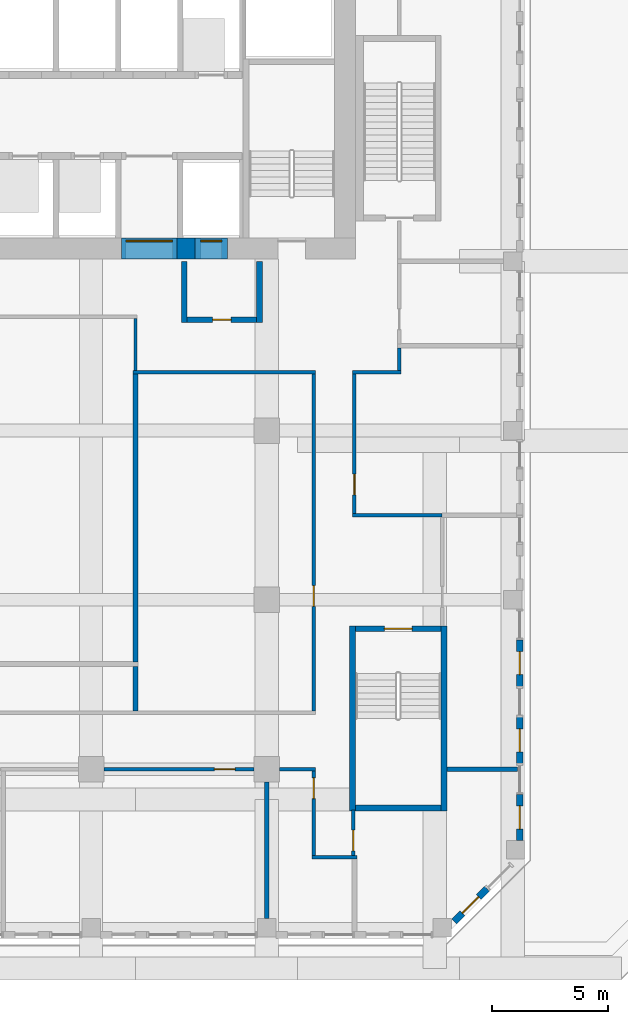
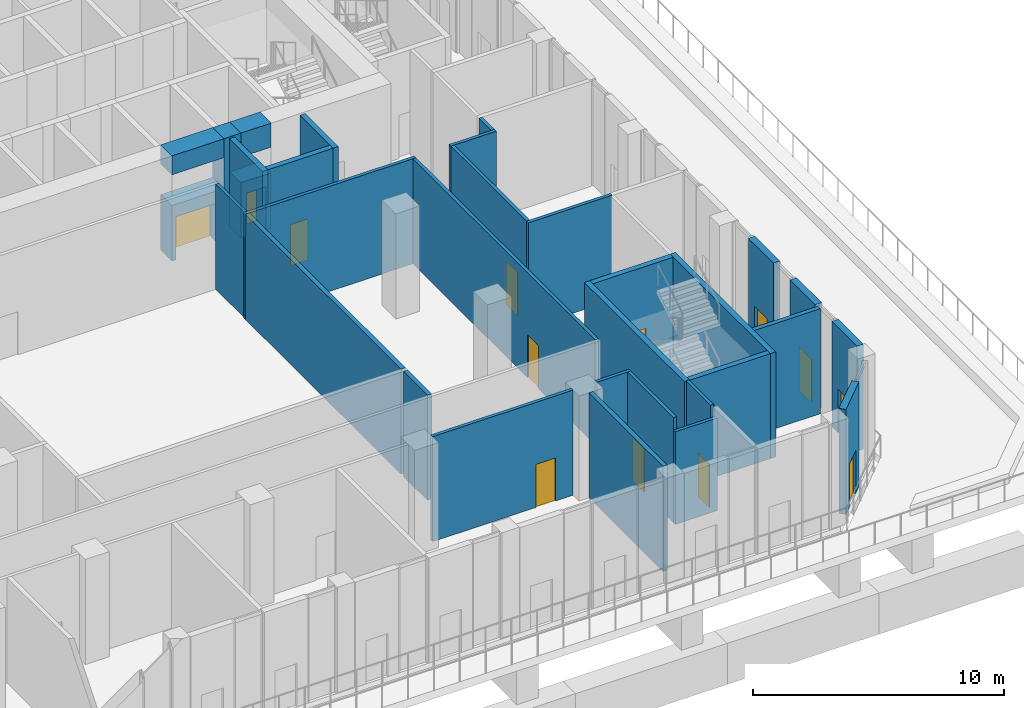
# One storey, part 11 of 19: 32 walls, 13 doors, 13 openings.
"""IFC4 building model written with IfcOpenShell, lengths in metres."""

from ifc_helpers import new_model, si_unit, direction, frame, frame_2d, origin, place, context, subcontext, project, spatial, rectangle, extrude, source, transform, mapped, material, layer, layer_set, type_object, element, fill, save


model = new_model("IFC4")

# Units and contexts
model_context = context("Model", 3, precision=1e-05, world=origin(), true_north=direction((0.0, 1.0)))
body_context = subcontext(model_context, "Body", "Model", "MODEL_VIEW")
ifc_project = project(units=[si_unit("LENGTHUNIT", "METRE"), si_unit("AREAUNIT", "SQUARE_METRE"), si_unit("VOLUMEUNIT", "CUBIC_METRE"), si_unit("PLANEANGLEUNIT", "RADIAN"), si_unit("MASSUNIT", "GRAM", prefix="KILO")], contexts=[model_context])

# Site, building, storey
site_placement = place(None, origin())
site = spatial("IfcSite", under=ifc_project, at=site_placement, CompositionType="ELEMENT")
building_placement = place(site_placement, origin())
building = spatial("IfcBuilding", under=site, at=building_placement, Name="Kilnfold Tower and Market Hall", CompositionType="ELEMENT")
storey_placement = place(building_placement, frame((0.0, 0.0, 138.5)))
storey = spatial("IfcBuildingStorey", under=building, at=storey_placement, Name="L31", CompositionType="ELEMENT", Elevation=138.5)

# Wall, opening, door
ifc_material_1 = material(Name="Gypsum board on steel studs", Category="steel")
ifc_layer_1 = layer(ifc_material_1, 0.14990234375)
ifc_layer_set_1 = layer_set([ifc_layer_1], Name="Gypsum board on steel studs")
wall_type_1 = type_object("IfcWallType", Name="WALL CORRIDOR 150", PredefinedType="PARTITIONING", material=ifc_layer_set_1)
wall_1_placement = place(storey_placement, frame((7.133056640625, -13.93798828125, 0.0), z_axis=(0.0, 0.0, 1.0), x_axis=(1.0, 0.0, 0.0)))
wall_1 = element("IfcWall", 1, at=wall_1_placement, inside=storey, type_object=wall_type_1, Name="Partition LY20.5", PredefinedType="PARTITIONING", context=body_context, shape_type="SweptSolid", body=[
    extrude(rectangle(XDim=6.48388671875, YDim=0.14990234375, at=frame_2d((3.241943359375, 0.0))), origin(), (0.0, 0.0, 1.0), 5.1201171875),
])
opening_1_placement = place(wall_1_placement, frame((4.77392578125, 0.0, 0.0)))
opening_1 = element("IfcOpeningElement", 2, at=opening_1_placement, cuts=wall_1, Name="Opening D2", PredefinedType="OPENING", context=body_context, shape_type="SweptSolid", body=[
    extrude(rectangle(XDim=0.89990234375, YDim=2.10009765625, at=frame_2d((0.449951171875, 1.050048828125))), frame((0.0, 0.0849609375, 0.0), z_axis=(0.0, -1.0, 0.0), x_axis=(1.0, 0.0, 0.0)), (0.0, 0.0, 1.0), 0.169921875),
])
ifc_material_2 = material(Name="Timber veneer door leaf in steel frame", Category="steel")
door_type_1 = type_object("IfcDoorType", Name="DOOR ROOM 900 X2100", OperationType="NOTDEFINED", PredefinedType="DOOR", material=ifc_material_2)
door_1_placement = place(opening_1_placement, origin())
door_1 = element("IfcDoor", 3, at=door_1_placement, inside=storey, type_object=door_type_1, Name="Door D2", OperationType="SINGLE_SWING_RIGHT", OverallHeight=2.10009765625, OverallWidth=0.89990234375, PredefinedType="DOOR", context=body_context, shape_type="SweptSolid", body=[
    extrude(rectangle(XDim=0.89990234375, YDim=2.10009765625, at=frame_2d((0.449951171875, 1.050048828125))), frame((0.0, 0.02490234375, 0.0), z_axis=(0.0, -1.0, 0.0), x_axis=(1.0, 0.0, 0.0)), (0.0, 0.0, 1.0), 0.050048828125),
])
fill(opening_1, door_1)

# Wall
wall_2_placement = place(storey_placement, frame((16.125, -17.75, 0.0), z_axis=(0.0, 0.0, 1.0), x_axis=(1.0, 0.0, 0.0)))
element("IfcWall", 4, at=wall_2_placement, inside=storey, type_object=wall_type_1, Name="Partition LY20.6", PredefinedType="PARTITIONING", context=body_context, shape_type="SweptSolid", body=[
    extrude(rectangle(XDim=1.93408203125, YDim=0.14990234375, at=frame_2d((0.967041015625, 0.0))), origin(), (0.0, 0.0, 1.0), 4.52001953125),
])

# Wall, opening, door
wall_3_placement = place(storey_placement, frame((16.199951171875, -17.675048828125, 0.0), z_axis=(0.0, 0.0, 1.0), x_axis=(0.0, 1.0, 0.0)))
wall_3 = element("IfcWall", 5, at=wall_3_placement, inside=storey, type_object=wall_type_1, Name="Partition LY20.7", PredefinedType="PARTITIONING", context=body_context, shape_type="SweptSolid", body=[
    extrude(rectangle(XDim=3.662109375, YDim=0.14990234375, at=frame_2d((1.8310546875, 0.0))), origin(), (0.0, 0.0, 1.0), 5.1201171875),
])
opening_2_placement = place(wall_3_placement, frame((2.458984375, 0.0, 0.0)))
opening_2 = element("IfcOpeningElement", 6, at=opening_2_placement, cuts=wall_3, Name="Opening D2", PredefinedType="OPENING", context=body_context, shape_type="SweptSolid", body=[
    extrude(rectangle(XDim=0.89990234375, YDim=2.10009765625, at=frame_2d((0.449951171875, 1.050048828125))), frame((0.0, 0.0849609375, 0.0), z_axis=(0.0, -1.0, 0.0), x_axis=(1.0, 0.0, 0.0)), (0.0, 0.0, 1.0), 0.169921875),
])
door_2_placement = place(opening_2_placement, origin())
door_2 = element("IfcDoor", 7, at=door_2_placement, inside=storey, type_object=door_type_1, Name="Door D2", OperationType="SINGLE_SWING_RIGHT", OverallHeight=2.10009765625, OverallWidth=0.89990234375, PredefinedType="DOOR", context=body_context, shape_type="SweptSolid", body=[
    extrude(rectangle(XDim=0.89990234375, YDim=2.10009765625, at=frame_2d((0.449951171875, 1.050048828125))), frame((0.0, 0.02490234375, 0.0), z_axis=(0.0, -1.0, 0.0), x_axis=(1.0, 0.0, 0.0)), (0.0, 0.0, 1.0), 0.050048828125),
])
fill(opening_2, door_2)

# Wall
wall_4_placement = place(storey_placement, frame((14.717041015625, -13.93798828125, 0.0), z_axis=(0.0, 0.0, 1.0), x_axis=(1.0, 0.0, 0.0)))
element("IfcWall", 8, at=wall_4_placement, inside=storey, type_object=wall_type_1, Name="Partition LY20.8", PredefinedType="PARTITIONING", context=body_context, shape_type="SweptSolid", body=[
    extrude(rectangle(XDim=1.557861328125, YDim=0.14990234375, at=frame_2d((0.77880859375, 0.0))), origin(), (0.0, 0.0, 1.0), 5.1201171875),
])

# Wall, opening, door
wall_5_placement = place(storey_placement, frame((17.908935546875, -17.675048828125, 0.0), z_axis=(0.0, 0.0, 1.0), x_axis=(0.0, 1.0, 0.0)))
wall_5 = element("IfcWall", 9, at=wall_5_placement, inside=storey, type_object=wall_type_1, Name="Partition LY20.9", PredefinedType="PARTITIONING", context=body_context, shape_type="SweptSolid", body=[
    extrude(rectangle(XDim=1.97509765625, YDim=0.14990234375, at=frame_2d((0.987548828125, 0.0))), origin(), (0.0, 0.0, 1.0), 5.1201171875),
])
opening_3_placement = place(wall_5_placement, frame((0.199951171875, 0.0, 0.0)))
opening_3 = element("IfcOpeningElement", 10, at=opening_3_placement, cuts=wall_5, Name="Opening D2", PredefinedType="OPENING", context=body_context, shape_type="SweptSolid", body=[
    extrude(rectangle(XDim=0.89990234375, YDim=2.10009765625, at=frame_2d((0.449951171875, 1.050048828125))), frame((0.0, 0.0849609375, 0.0), z_axis=(0.0, -1.0, 0.0), x_axis=(1.0, 0.0, 0.0)), (0.0, 0.0, 1.0), 0.169921875),
])
door_3_placement = place(opening_3_placement, origin())
door_3 = element("IfcDoor", 11, at=door_3_placement, inside=storey, type_object=door_type_1, Name="Door D2", OperationType="SINGLE_SWING_LEFT", OverallHeight=2.10009765625, OverallWidth=0.89990234375, PredefinedType="DOOR", context=body_context, shape_type="SweptSolid", body=[
    extrude(rectangle(XDim=0.89990234375, YDim=2.10009765625, at=frame_2d((0.449951171875, 1.050048828125))), frame((0.0, 0.02490234375, 0.0), z_axis=(0.0, -1.0, 0.0), x_axis=(1.0, 0.0, 0.0)), (0.0, 0.0, 1.0), 0.050048828125),
])
fill(opening_3, door_3)

# Walls
wall_6_placement = place(storey_placement, frame((19.89990234375, 3.27490234375, 0.0), z_axis=(0.0, 0.0, 1.0), x_axis=(0.0, 1.0, 0.0)))
element("IfcWall", 12, at=wall_6_placement, inside=storey, type_object=wall_type_1, Name="Partition LY20.26", PredefinedType="PARTITIONING", context=body_context, shape_type="SweptSolid", body=[
    extrude(rectangle(XDim=0.97900390625, YDim=0.14990234375, at=frame_2d((0.489501953125, 0.0))), origin(), (0.0, 0.0, 1.0), 5.1201171875),
])
wall_7_placement = place(storey_placement, frame((17.884033203125, 3.199951171875, 0.0), z_axis=(0.0, 0.0, 1.0), x_axis=(1.0, 0.0, 0.0)))
element("IfcWall", 13, at=wall_7_placement, inside=storey, type_object=wall_type_1, Name="Partition LY20.27", PredefinedType="PARTITIONING", context=body_context, shape_type="SweptSolid", body=[
    extrude(rectangle(XDim=2.091064453125, YDim=0.14990234375, at=frame_2d((1.04541015625, 0.0))), origin(), (0.0, 0.0, 1.0), 5.1201171875),
])

# Wall, opening, door
wall_8_placement = place(storey_placement, frame((17.958984375, -2.89404296875, 0.0), z_axis=(0.0, 0.0, 1.0), x_axis=(0.0, 1.0, 0.0)))
wall_8 = element("IfcWall", 14, at=wall_8_placement, inside=storey, type_object=wall_type_1, Name="Partition LY20.28", PredefinedType="PARTITIONING", context=body_context, shape_type="SweptSolid", body=[
    extrude(rectangle(XDim=6.01904296875, YDim=0.14990234375, at=frame_2d((3.009521484375, 0.0))), origin(), (0.0, 0.0, 1.0), 5.1201171875),
])
opening_4_placement = place(wall_8_placement, frame((0.802001953125, 0.0, 0.0)))
opening_4 = element("IfcOpeningElement", 15, at=opening_4_placement, cuts=wall_8, Name="Opening D2", PredefinedType="OPENING", context=body_context, shape_type="SweptSolid", body=[
    extrude(rectangle(XDim=0.89990234375, YDim=2.10009765625, at=frame_2d((0.449951171875, 1.050048828125))), frame((0.0, 0.0849609375, 0.0), z_axis=(0.0, -1.0, 0.0), x_axis=(1.0, 0.0, 0.0)), (0.0, 0.0, 1.0), 0.169921875),
])
door_4_placement = place(opening_4_placement, origin())
door_4 = element("IfcDoor", 16, at=door_4_placement, inside=storey, type_object=door_type_1, Name="Door D2", OperationType="SINGLE_SWING_LEFT", OverallHeight=2.10009765625, OverallWidth=0.89990234375, PredefinedType="DOOR", context=body_context, shape_type="SweptSolid", body=[
    extrude(rectangle(XDim=0.89990234375, YDim=2.10009765625, at=frame_2d((0.449951171875, 1.050048828125))), frame((0.0, 0.02490234375, 0.0), z_axis=(0.0, -1.0, 0.0), x_axis=(1.0, 0.0, 0.0)), (0.0, 0.0, 1.0), 0.050048828125),
])
fill(opening_4, door_4)

# Wall
wall_9_placement = place(storey_placement, frame((21.7509765625, -2.968994140625, 0.0), z_axis=(0.0, 0.0, 1.0), x_axis=(-1.0, 0.0, 0.0)))
element("IfcWall", 17, at=wall_9_placement, inside=storey, type_object=wall_type_1, Name="Partition LY20.29", PredefinedType="PARTITIONING", context=body_context, shape_type="SweptSolid", body=[
    extrude(rectangle(XDim=3.866943359375, YDim=0.14990234375, at=frame_2d((1.93359375, 0.0))), origin(), (0.0, 0.0, 1.0), 5.1201171875),
])

# Wall, opening, door
wall_10_placement = place(storey_placement, frame((16.199951171875, -11.425048828125, 0.0), z_axis=(0.0, 0.0, 1.0), x_axis=(0.0, 1.0, 0.0)))
wall_10 = element("IfcWall", 18, at=wall_10_placement, inside=storey, type_object=wall_type_1, Name="Partition LY20.40", PredefinedType="PARTITIONING", context=body_context, shape_type="SweptSolid", body=[
    extrude(rectangle(XDim=14.550048828125, YDim=0.14990234375, at=frame_2d((7.27490234375, 0.0))), origin(), (0.0, 0.0, 1.0), 5.1201171875),
])
opening_5_placement = place(wall_10_placement, frame((4.51611328125, 0.0, 0.0)))
opening_5 = element("IfcOpeningElement", 19, at=opening_5_placement, cuts=wall_10, Name="Opening D2", PredefinedType="OPENING", context=body_context, shape_type="SweptSolid", body=[
    extrude(rectangle(XDim=0.89990234375, YDim=2.10009765625, at=frame_2d((0.449951171875, 1.050048828125))), frame((0.0, 0.0849609375, 0.0), z_axis=(0.0, -1.0, 0.0), x_axis=(1.0, 0.0, 0.0)), (0.0, 0.0, 1.0), 0.169921875),
])
door_5_placement = place(opening_5_placement, origin())
door_5 = element("IfcDoor", 20, at=door_5_placement, inside=storey, type_object=door_type_1, Name="Door D2", OperationType="SINGLE_SWING_RIGHT", OverallHeight=2.10009765625, OverallWidth=0.89990234375, PredefinedType="DOOR", context=body_context, shape_type="SweptSolid", body=[
    extrude(rectangle(XDim=0.89990234375, YDim=2.10009765625, at=frame_2d((0.449951171875, 1.050048828125))), frame((0.0, 0.02490234375, 0.0), z_axis=(0.0, -1.0, 0.0), x_axis=(1.0, 0.0, 0.0)), (0.0, 0.0, 1.0), 0.050048828125),
])
fill(opening_5, door_5)

# Walls
wall_11_placement = place(storey_placement, frame((8.39990234375, 3.199951171875, 0.0), z_axis=(0.0, 0.0, 1.0), x_axis=(1.0, 0.0, 0.0)))
element("IfcWall", 21, at=wall_11_placement, inside=storey, type_object=wall_type_1, Name="Partition LY20.41", PredefinedType="PARTITIONING", context=body_context, shape_type="SweptSolid", body=[
    extrude(rectangle(XDim=7.875, YDim=0.14990234375, at=frame_2d((3.9375, 0.0))), origin(), (0.0, 0.0, 1.0), 5.1201171875),
])
wall_12_placement = place(storey_placement, frame((8.5, 5.52490234375, 0.0), z_axis=(0.0, 0.0, 1.0), x_axis=(0.0, -1.0, 0.0)))
element("IfcWall", 22, at=wall_12_placement, inside=storey, type_object=wall_type_1, Name="Partition LY20.43", PredefinedType="PARTITIONING", context=body_context, shape_type="SweptSolid", body=[
    extrude(rectangle(XDim=2.25, YDim=0.14990234375, at=frame_2d((1.125, 0.0))), origin(), (0.0, 0.0, 1.0), 5.1201171875),
])
ifc_material_3 = material(Name="Gypsum board on steel studs", Category="steel")
ifc_layer_2 = layer(ifc_material_3, 0.199951171875)
ifc_layer_set_2 = layer_set([ifc_layer_2], Name="Gypsum board on steel studs")
wall_type_2 = type_object("IfcWallType", Name="WALL PARTY 200", PredefinedType="PARTITIONING", material=ifc_layer_set_2)
wall_13_placement = place(storey_placement, frame((14.1669921875, -20.39990234375, 0.0), z_axis=(0.0, 0.0, 1.0), x_axis=(0.0, 1.0, 0.0)))
element("IfcWall", 23, at=wall_13_placement, inside=storey, type_object=wall_type_2, Name="Partition LY20.49", PredefinedType="PARTITIONING", context=body_context, shape_type="SweptSolid", body=[
    extrude(rectangle(XDim=5.911865234375, YDim=0.199951171875, at=frame_2d((2.9560546875, 0.0))), origin(), (0.0, 0.0, 1.0), 5.1201171875),
])
wall_14_placement = place(storey_placement, frame((25.0, -13.93798828125, 0.0), z_axis=(0.0, 0.0, 1.0), x_axis=(-1.0, 0.0, 0.0)))
element("IfcWall", 24, at=wall_14_placement, inside=storey, type_object=wall_type_2, Name="Partition LY20.51", PredefinedType="PARTITIONING", context=body_context, shape_type="SweptSolid", body=[
    extrude(rectangle(XDim=3.050048828125, YDim=0.199951171875, at=frame_2d((1.52490234375, 0.0))), origin(), (0.0, 0.0, 1.0), 5.1201171875),
])
wall_15_placement = place(storey_placement, frame((8.5, -11.423095703125, 0.0), z_axis=(0.0, 0.0, 1.0), x_axis=(0.0, 1.0, 0.0)))
element("IfcWall", 25, at=wall_15_placement, inside=storey, type_object=wall_type_2, Name="Partition LY20.78", PredefinedType="PARTITIONING", context=body_context, shape_type="SweptSolid", body=[
    extrude(rectangle(XDim=1.923095703125, YDim=0.199951171875, at=frame_2d((0.96142578125, 0.0))), origin(), (0.0, 0.0, 1.0), 5.1201171875),
])
wall_16_placement = place(storey_placement, frame((8.5, -9.31005859375, 0.0), z_axis=(0.0, 0.0, 1.0), x_axis=(0.0, 1.0, 0.0)))
element("IfcWall", 26, at=wall_16_placement, inside=storey, type_object=wall_type_2, Name="Partition LY20.80", PredefinedType="PARTITIONING", context=body_context, shape_type="SweptSolid", body=[
    extrude(rectangle(XDim=12.43310546875, YDim=0.199951171875, at=frame_2d((6.216552734375, 0.0))), origin(), (0.0, 0.0, 1.0), 5.1201171875),
])
ifc_material_4 = material(Name="Concrete C70", Category="concrete")
ifc_layer_3 = layer(ifc_material_4, 0.89990234375)
ifc_layer_set_3 = layer_set([ifc_layer_3], Name="Concrete C70")
wall_type_3 = type_object("IfcWallType", Name="CORE WALL 900 C70", PredefinedType="SHEAR", material=ifc_layer_set_3)
shared_shape_1 = source(origin(), body_context, "Body", "SweptSolid", [
    extrude(rectangle(XDim=0.780029296875, YDim=0.89990234375, at=frame_2d((0.39013671875, 0.0))), origin(), (0.0, 0.0, 1.0), 5.1201171875),
])
wall_17_placement = place(storey_placement, frame((10.2900390625, 8.550048828125, 0.0), z_axis=(0.0, 0.0, 1.0), x_axis=(1.0, 0.0, 0.0)))
element("IfcWall", 27, at=wall_17_placement, inside=storey, type_object=wall_type_3, Name="Core outer wall south", PredefinedType="SHEAR", context=body_context, shape_type="MappedRepresentation", body=[
    mapped(shared_shape_1, transform((0.0, 0.0, 0.0))),
])
ifc_material_5 = material(Name="Concrete C70", Category="concrete")
ifc_layer_4 = layer(ifc_material_5, 0.25)
ifc_layer_set_4 = layer_set([ifc_layer_4], Name="Concrete C70")
wall_type_4 = type_object("IfcWallType", Name="CORE WALL 250 C70", PredefinedType="SHEAR", material=ifc_layer_set_4)
shared_shape_2 = source(origin(), body_context, "Body", "SweptSolid", [
    extrude(rectangle(XDim=3.699951171875, YDim=0.25, at=frame_2d((1.85009765625, 0.0))), origin(), (0.0, 0.0, 1.0), 5.1201171875),
])
wall_18_placement = place(storey_placement, frame((18.0, -15.625, 0.0), z_axis=(0.0, 0.0, 1.0), x_axis=(1.0, 0.0, 0.0)))
element("IfcWall", 28, at=wall_18_placement, inside=storey, type_object=wall_type_4, Name="Stair enclosure ST4", PredefinedType="SHEAR", context=body_context, shape_type="MappedRepresentation", body=[
    mapped(shared_shape_2, transform((0.0, 0.0, 0.0))),
])

# Wall, opening, door
wall_19_placement = place(storey_placement, frame((18.0, -7.875, 0.0), z_axis=(0.0, 0.0, 1.0), x_axis=(1.0, 0.0, 0.0)))
wall_19 = element("IfcWall", 29, at=wall_19_placement, inside=storey, type_object=wall_type_4, Name="Stair enclosure ST4", PredefinedType="SHEAR", context=body_context, shape_type="MappedRepresentation", body=[
    mapped(shared_shape_2, transform((0.0, 0.0, 0.0))),
])
opening_6_placement = place(wall_19_placement, frame((1.25, 0.0, 0.0)))
opening_6 = element("IfcOpeningElement", 30, at=opening_6_placement, cuts=wall_19, Name="Opening SD1", PredefinedType="OPENING", context=body_context, shape_type="SweptSolid", body=[
    extrude(rectangle(XDim=1.199951171875, YDim=2.10009765625, at=frame_2d((0.60009765625, 1.050048828125))), frame((0.0, 0.135009765625, 0.0), z_axis=(0.0, -1.0, 0.0), x_axis=(1.0, 0.0, 0.0)), (0.0, 0.0, 1.0), 0.27001953125),
])
ifc_material_6 = material(Name="Steel door set with fire-resisting leaf", Category="steel")
door_type_2 = type_object("IfcDoorType", Name="STAIR FLOOR DOOR 1200X2100", OperationType="NOTDEFINED", PredefinedType="DOOR", material=ifc_material_6)
door_6_placement = place(opening_6_placement, origin())
door_6 = element("IfcDoor", 31, at=door_6_placement, inside=storey, type_object=door_type_2, Name="Exit stair ST4 door", OperationType="DOUBLE_DOOR_SINGLE_SWING", OverallHeight=2.10009765625, OverallWidth=1.199951171875, PredefinedType="DOOR", context=body_context, shape_type="SweptSolid", body=[
    extrude(rectangle(XDim=1.199951171875, YDim=2.10009765625, at=frame_2d((0.60009765625, 1.050048828125))), frame((0.0, 0.02490234375, 0.0), z_axis=(0.0, -1.0, 0.0), x_axis=(1.0, 0.0, 0.0)), (0.0, 0.0, 1.0), 0.050048828125),
])
fill(opening_6, door_6)

# Walls
shared_shape_3 = source(origin(), body_context, "Body", "SweptSolid", [
    extrude(rectangle(XDim=8.0, YDim=0.25, at=frame_2d((4.0, 0.0))), origin(), (0.0, 0.0, 1.0), 5.1201171875),
])
for number, where, z_axis, x_axis, name in (
    (32, (17.875, -15.75, 0.0), (0.0, 0.0, 1.0), (0.0, 1.0, 0.0), "Stair enclosure ST4"),
    (33, (21.824951171875, -15.75, 0.0), (0.0, 0.0, 1.0), (0.0, 1.0, 0.0), "Stair enclosure ST4"),
):
    element("IfcWall", number, at=place(storey_placement, frame(where, z_axis=z_axis, x_axis=x_axis)), inside=storey, type_object=wall_type_4, Name=name, PredefinedType="SHEAR", context=body_context, shape_type="MappedRepresentation", body=[
        mapped(shared_shape_3, transform((0.0, 0.0, 0.0))),
    ])
shared_shape_4 = source(origin(), body_context, "Body", "SweptSolid", [
    extrude(rectangle(XDim=1.39990234375, YDim=0.89990234375, at=frame_2d((0.699951171875, 0.0))), origin(), (0.0, 0.0, 1.0), 1.170166015625),
])
wall_20_placement = place(storey_placement, frame((11.070068359375, 8.550048828125, 3.949951171875), z_axis=(0.0, 0.0, 1.0), x_axis=(1.0, 0.0, 0.0)))
element("IfcWall", 34, at=wall_20_placement, inside=storey, type_object=wall_type_3, Name="Core wall over opening", PredefinedType="SHEAR", context=body_context, shape_type="MappedRepresentation", body=[
    mapped(shared_shape_4, transform((0.0, 0.0, 0.0))),
])
shared_shape_5 = source(origin(), body_context, "Body", "SweptSolid", [
    extrude(rectangle(XDim=2.400146484375, YDim=0.89990234375, at=frame_2d((1.2001953125, 0.0))), origin(), (0.0, 0.0, 1.0), 0.920166015625),
])
wall_21_placement = place(storey_placement, frame((7.889892578125, 8.550048828125, 4.199951171875), z_axis=(0.0, 0.0, 1.0), x_axis=(1.0, 0.0, 0.0)))
element("IfcWall", 35, at=wall_21_placement, inside=storey, type_object=wall_type_3, Name="Core wall over opening", PredefinedType="SHEAR", context=body_context, shape_type="MappedRepresentation", body=[
    mapped(shared_shape_5, transform((0.0, 0.0, 0.0))),
])

# Wall, opening, door
ifc_material_7 = material(Name="Precast concrete C50/60", Category="concrete")
ifc_layer_5 = layer(ifc_material_7, 0.300048828125)
ifc_layer_set_5 = layer_set([ifc_layer_5], Name="Precast concrete C50/60")
wall_type_5 = type_object("IfcWallType", Name="PRECAST WALL 300", PredefinedType="SOLIDWALL", material=ifc_layer_set_5)
shared_shape_6 = source(origin(), body_context, "Body", "SweptSolid", [
    extrude(rectangle(XDim=2.0, YDim=0.300048828125, at=frame_2d((1.0, 0.0))), origin(), (0.0, 0.0, 1.0), 5.1201171875),
])
wall_22_placement = place(storey_placement, frame((22.268798828125, -20.518798828125, 0.0), z_axis=(0.0, 0.0, 1.0), x_axis=(0.70716781496, 0.707045742145, 0.0)))
wall_22 = element("IfcWall", 36, at=wall_22_placement, inside=storey, type_object=wall_type_5, Name="External wall L31 SE", PredefinedType="SOLIDWALL", context=body_context, shape_type="MappedRepresentation", body=[
    mapped(shared_shape_6, transform((0.0, 0.0, 0.0))),
])
opening_7_placement = place(wall_22_placement, frame((0.5, 0.0, 0.0)))
opening_7 = element("IfcOpeningElement", 37, at=opening_7_placement, cuts=wall_22, Name="Opening BD1", PredefinedType="OPENING", context=body_context, shape_type="SweptSolid", body=[
    extrude(rectangle(XDim=1.0, YDim=2.10009765625, at=frame_2d((0.5, 1.050048828125))), frame((0.0, 0.16015625, 0.0), z_axis=(0.0, -1.0, 0.0), x_axis=(1.0, 0.0, 0.0)), (0.0, 0.0, 1.0), 0.320068359375),
])
ifc_material_8 = material(Name="Aluminium frame and double glazing", Category="aluminium")
door_type_3 = type_object("IfcDoorType", Name="BALCONY DOOR 1000X2100", OperationType="NOTDEFINED", PredefinedType="DOOR", material=ifc_material_8)
door_7_placement = place(opening_7_placement, origin())
door_7 = element("IfcDoor", 38, at=door_7_placement, inside=storey, type_object=door_type_3, Name="Balcony door BD1 L31 SE-1", OperationType="SINGLE_SWING_LEFT", OverallHeight=2.10009765625, OverallWidth=1.0, PredefinedType="DOOR", context=body_context, shape_type="SweptSolid", body=[
    extrude(rectangle(XDim=1.0, YDim=2.10009765625, at=frame_2d((0.5, 1.050048828125))), frame((0.0, 0.02490234375, 0.0), z_axis=(0.0, -1.0, 0.0), x_axis=(1.0, 0.0, 0.0)), (0.0, 0.0, 1.0), 0.050048828125),
])
fill(opening_7, door_7)

wall_23_placement = place(storey_placement, frame((25.10009765625, -17.03173828125, 0.0), z_axis=(0.0, 0.0, 1.0), x_axis=(0.0, 1.0, 0.0)))
wall_23 = element("IfcWall", 39, at=wall_23_placement, inside=storey, type_object=wall_type_5, Name="External wall L31 E", PredefinedType="SOLIDWALL", context=body_context, shape_type="MappedRepresentation", body=[
    mapped(shared_shape_6, transform((0.0, 0.0, 0.0))),
])
opening_8_placement = place(wall_23_placement, frame((0.5, 0.0, 0.0)))
opening_8 = element("IfcOpeningElement", 40, at=opening_8_placement, cuts=wall_23, Name="Opening BD1", PredefinedType="OPENING", context=body_context, shape_type="SweptSolid", body=[
    extrude(rectangle(XDim=1.0, YDim=2.10009765625, at=frame_2d((0.5, 1.050048828125))), frame((0.0, 0.16015625, 0.0), z_axis=(0.0, -1.0, 0.0), x_axis=(1.0, 0.0, 0.0)), (0.0, 0.0, 1.0), 0.320068359375),
])
door_8_placement = place(opening_8_placement, origin())
door_8 = element("IfcDoor", 41, at=door_8_placement, inside=storey, type_object=door_type_3, Name="Balcony door BD1 L31 E-1", OperationType="SINGLE_SWING_LEFT", OverallHeight=2.10009765625, OverallWidth=1.0, PredefinedType="DOOR", context=body_context, shape_type="SweptSolid", body=[
    extrude(rectangle(XDim=1.0, YDim=2.10009765625, at=frame_2d((0.5, 1.050048828125))), frame((0.0, 0.02490234375, 0.0), z_axis=(0.0, -1.0, 0.0), x_axis=(1.0, 0.0, 0.0)), (0.0, 0.0, 1.0), 0.050048828125),
])
fill(opening_8, door_8)

wall_24_placement = place(storey_placement, frame((25.10009765625, -13.6962890625, 0.0), z_axis=(0.0, 0.0, 1.0), x_axis=(0.0, 1.0, 0.0)))
wall_24 = element("IfcWall", 42, at=wall_24_placement, inside=storey, type_object=wall_type_5, Name="External wall L31 E", PredefinedType="SOLIDWALL", context=body_context, shape_type="MappedRepresentation", body=[
    mapped(shared_shape_6, transform((0.0, 0.0, 0.0))),
])
opening_9_placement = place(wall_24_placement, frame((0.5, 0.0, 0.0)))
opening_9 = element("IfcOpeningElement", 43, at=opening_9_placement, cuts=wall_24, Name="Opening BD1", PredefinedType="OPENING", context=body_context, shape_type="SweptSolid", body=[
    extrude(rectangle(XDim=1.0, YDim=2.10009765625, at=frame_2d((0.5, 1.050048828125))), frame((0.0, 0.16015625, 0.0), z_axis=(0.0, -1.0, 0.0), x_axis=(1.0, 0.0, 0.0)), (0.0, 0.0, 1.0), 0.320068359375),
])
door_9_placement = place(opening_9_placement, origin())
door_9 = element("IfcDoor", 44, at=door_9_placement, inside=storey, type_object=door_type_3, Name="Balcony door BD1 L31 E-2", OperationType="SINGLE_SWING_RIGHT", OverallHeight=2.10009765625, OverallWidth=1.0, PredefinedType="DOOR", context=body_context, shape_type="SweptSolid", body=[
    extrude(rectangle(XDim=1.0, YDim=2.10009765625, at=frame_2d((0.5, 1.050048828125))), frame((0.0, 0.02490234375, 0.0), z_axis=(0.0, -1.0, 0.0), x_axis=(1.0, 0.0, 0.0)), (0.0, 0.0, 1.0), 0.050048828125),
])
fill(opening_9, door_9)

wall_25_placement = place(storey_placement, frame((25.10009765625, -10.360595703125, 0.0), z_axis=(0.0, 0.0, 1.0), x_axis=(0.0, 1.0, 0.0)))
wall_25 = element("IfcWall", 45, at=wall_25_placement, inside=storey, type_object=wall_type_5, Name="External wall L31 E", PredefinedType="SOLIDWALL", context=body_context, shape_type="MappedRepresentation", body=[
    mapped(shared_shape_6, transform((0.0, 0.0, 0.0))),
])
opening_10_placement = place(wall_25_placement, frame((0.5, 0.0, 0.0)))
opening_10 = element("IfcOpeningElement", 46, at=opening_10_placement, cuts=wall_25, Name="Opening BD1", PredefinedType="OPENING", context=body_context, shape_type="SweptSolid", body=[
    extrude(rectangle(XDim=1.0, YDim=2.10009765625, at=frame_2d((0.5, 1.050048828125))), frame((0.0, 0.16015625, 0.0), z_axis=(0.0, -1.0, 0.0), x_axis=(1.0, 0.0, 0.0)), (0.0, 0.0, 1.0), 0.320068359375),
])
door_10_placement = place(opening_10_placement, origin())
door_10 = element("IfcDoor", 47, at=door_10_placement, inside=storey, type_object=door_type_3, Name="Balcony door BD1 L31 E-3", OperationType="SINGLE_SWING_LEFT", OverallHeight=2.10009765625, OverallWidth=1.0, PredefinedType="DOOR", context=body_context, shape_type="SweptSolid", body=[
    extrude(rectangle(XDim=1.0, YDim=2.10009765625, at=frame_2d((0.5, 1.050048828125))), frame((0.0, 0.02490234375, 0.0), z_axis=(0.0, -1.0, 0.0), x_axis=(1.0, 0.0, 0.0)), (0.0, 0.0, 1.0), 0.050048828125),
])
fill(opening_10, door_10)

ifc_material_9 = material(Name="Gypsum shaft wall system")
ifc_layer_6 = layer(ifc_material_9, 0.89990234375)
ifc_layer_set_6 = layer_set([ifc_layer_6], Name="Gypsum shaft wall system")
wall_type_6 = type_object("IfcWallType", Name="LOBBY WALL 900", PredefinedType="PARTITIONING", material=ifc_layer_set_6)
shared_shape_7 = source(origin(), body_context, "Body", "SweptSolid", [
    extrude(rectangle(XDim=1.39990234375, YDim=0.89990234375, at=frame_2d((0.699951171875, 0.0))), origin(), (0.0, 0.0, 1.0), 2.699951171875),
])
wall_26_placement = place(storey_placement, frame((11.070068359375, 8.550048828125, 0.0), z_axis=(0.0, 0.0, 1.0), x_axis=(1.0, 0.0, 0.0)))
wall_26 = element("IfcWall", 48, at=wall_26_placement, inside=storey, type_object=wall_type_6, Name="Core wall infill", PredefinedType="PARTITIONING", context=body_context, shape_type="MappedRepresentation", body=[
    mapped(shared_shape_7, transform((0.0, 0.0, 0.0))),
])
opening_11_placement = place(wall_26_placement, frame((0.25, 0.0, 0.0)))
opening_11 = element("IfcOpeningElement", 49, at=opening_11_placement, cuts=wall_26, Name="Opening LD1", PredefinedType="OPENING", context=body_context, shape_type="SweptSolid", body=[
    extrude(rectangle(XDim=0.89990234375, YDim=2.10009765625, at=frame_2d((0.449951171875, 1.050048828125))), frame((0.0, 0.4599609375, 0.0), z_axis=(0.0, -1.0, 0.0), x_axis=(1.0, 0.0, 0.0)), (0.0, 0.0, 1.0), 0.919921875),
])
ifc_material_10 = material(Name="Steel door set with fire-resisting leaf", Category="steel")
door_type_4 = type_object("IfcDoorType", Name="FIREFIGHTING LANDING DOOR 900X2100", OperationType="NOTDEFINED", PredefinedType="DOOR", material=ifc_material_10)
door_11_placement = place(opening_11_placement, origin())
door_11 = element("IfcDoor", 50, at=door_11_placement, inside=storey, type_object=door_type_4, Name="Landing door FF3", OperationType="SLIDING_TO_LEFT", OverallHeight=2.10009765625, OverallWidth=0.89990234375, PredefinedType="DOOR", context=body_context, shape_type="SweptSolid", body=[
    extrude(rectangle(XDim=0.89990234375, YDim=2.10009765625, at=frame_2d((0.449951171875, 1.050048828125))), frame((0.0, 0.35498046875, 0.0), z_axis=(0.0, -1.0, 0.0), x_axis=(1.0, 0.0, 0.0)), (0.0, 0.0, 1.0), 0.050048828125),
])
fill(opening_11, door_11)

shared_shape_8 = source(origin(), body_context, "Body", "SweptSolid", [
    extrude(rectangle(XDim=2.400146484375, YDim=0.89990234375, at=frame_2d((1.2001953125, 0.0))), origin(), (0.0, 0.0, 1.0), 2.699951171875),
])
wall_27_placement = place(storey_placement, frame((7.889892578125, 8.550048828125, 0.0), z_axis=(0.0, 0.0, 1.0), x_axis=(1.0, 0.0, 0.0)))
wall_27 = element("IfcWall", 51, at=wall_27_placement, inside=storey, type_object=wall_type_6, Name="Core wall infill", PredefinedType="PARTITIONING", context=body_context, shape_type="MappedRepresentation", body=[
    mapped(shared_shape_8, transform((0.0, 0.0, 0.0))),
])
opening_12_placement = place(wall_27_placement, frame((0.199951171875, 0.0, 0.0)))
opening_12 = element("IfcOpeningElement", 52, at=opening_12_placement, cuts=wall_27, Name="Opening VD2", PredefinedType="OPENING", context=body_context, shape_type="SweptSolid", body=[
    extrude(rectangle(XDim=2.0, YDim=2.10009765625, at=frame_2d((1.0, 1.050048828125))), frame((0.0, 0.4599609375, 0.0), z_axis=(0.0, -1.0, 0.0), x_axis=(1.0, 0.0, 0.0)), (0.0, 0.0, 1.0), 0.919921875),
])
ifc_material_11 = material(Name="Steel door set with fire-resisting leaf", Category="steel")
door_type_5 = type_object("IfcDoorType", Name="LIFT LOBBY ENTRANCE DOOR 2000X2100", OperationType="NOTDEFINED", PredefinedType="DOOR", material=ifc_material_11)
door_12_placement = place(opening_12_placement, origin())
door_12 = element("IfcDoor", 53, at=door_12_placement, inside=storey, type_object=door_type_5, Name="Lift lobby entrance door", OperationType="DOUBLE_DOOR_SINGLE_SWING", OverallHeight=2.10009765625, OverallWidth=2.0, PredefinedType="DOOR", context=body_context, shape_type="SweptSolid", body=[
    extrude(rectangle(XDim=2.0, YDim=2.10009765625, at=frame_2d((1.0, 1.050048828125))), frame((0.0, 0.35498046875, 0.0), z_axis=(0.0, -1.0, 0.0), x_axis=(1.0, 0.0, 0.0)), (0.0, 0.0, 1.0), 0.050048828125),
])
fill(opening_12, door_12)

# Walls
ifc_material_12 = material(Name="Gypsum shaft wall system")
ifc_layer_7 = layer(ifc_material_12, 0.25)
ifc_layer_set_7 = layer_set([ifc_layer_7], Name="Gypsum shaft wall system")
wall_type_7 = type_object("IfcWallType", Name="LOBBY WALL 250", PredefinedType="PARTITIONING", material=ifc_layer_set_7)
shared_shape_9 = source(origin(), body_context, "Body", "SweptSolid", [
    extrude(rectangle(XDim=2.64990234375, YDim=0.25, at=frame_2d((1.324951171875, 0.0))), origin(), (0.0, 0.0, 1.0), 5.1201171875),
])
for number, where, z_axis, x_axis, name in (
    (54, (10.60498046875, 5.35009765625, 0.0), (0.0, 0.0, 1.0), (0.0, 1.0, 0.0), "Firefighting lobby wall"),
    (55, (13.85498046875, 5.35009765625, 0.0), (0.0, 0.0, 1.0), (0.0, 1.0, 0.0), "Firefighting lobby wall"),
):
    element("IfcWall", number, at=place(storey_placement, frame(where, z_axis=z_axis, x_axis=x_axis)), inside=storey, type_object=wall_type_7, Name=name, PredefinedType="PARTITIONING", context=body_context, shape_type="MappedRepresentation", body=[
        mapped(shared_shape_9, transform((0.0, 0.0, 0.0))),
    ])

# Wall, opening, door
shared_shape_10 = source(origin(), body_context, "Body", "SweptSolid", [
    extrude(rectangle(XDim=3.0, YDim=0.25, at=frame_2d((1.5, 0.0))), origin(), (0.0, 0.0, 1.0), 5.1201171875),
])
wall_28_placement = place(storey_placement, frame((10.72998046875, 5.47509765625, 0.0), z_axis=(0.0, 0.0, 1.0), x_axis=(1.0, 0.0, 0.0)))
wall_28 = element("IfcWall", 56, at=wall_28_placement, inside=storey, type_object=wall_type_7, Name="Firefighting lobby wall", PredefinedType="PARTITIONING", context=body_context, shape_type="MappedRepresentation", body=[
    mapped(shared_shape_10, transform((0.0, 0.0, 0.0))),
])
opening_13_placement = place(wall_28_placement, frame((1.10009765625, 0.0, 0.0)))
opening_13 = element("IfcOpeningElement", 57, at=opening_13_placement, cuts=wall_28, Name="Opening VD1", PredefinedType="OPENING", context=body_context, shape_type="SweptSolid", body=[
    extrude(rectangle(XDim=0.800048828125, YDim=2.0, at=frame_2d((0.39990234375, 1.0))), frame((0.0, 0.135009765625, 0.0), z_axis=(0.0, -1.0, 0.0), x_axis=(1.0, 0.0, 0.0)), (0.0, 0.0, 1.0), 0.27001953125),
])
ifc_material_13 = material(Name="Steel door set with fire-resisting leaf", Category="steel")
door_type_6 = type_object("IfcDoorType", Name="FIREFIGHTING LOBBY DOOR 800X2000", OperationType="NOTDEFINED", PredefinedType="DOOR", material=ifc_material_13)
door_13_placement = place(opening_13_placement, origin())
door_13 = element("IfcDoor", 58, at=door_13_placement, inside=storey, type_object=door_type_6, Name="Firefighting lobby door", OperationType="SINGLE_SWING_RIGHT", OverallHeight=2.0, OverallWidth=0.800048828125, PredefinedType="DOOR", context=body_context, shape_type="SweptSolid", body=[
    extrude(rectangle(XDim=0.800048828125, YDim=2.0, at=frame_2d((0.39990234375, 1.0))), frame((0.0, 0.02490234375, 0.0), z_axis=(0.0, -1.0, 0.0), x_axis=(1.0, 0.0, 0.0)), (0.0, 0.0, 1.0), 0.050048828125),
])
fill(opening_13, door_13)

save(model, "model.ifc")
